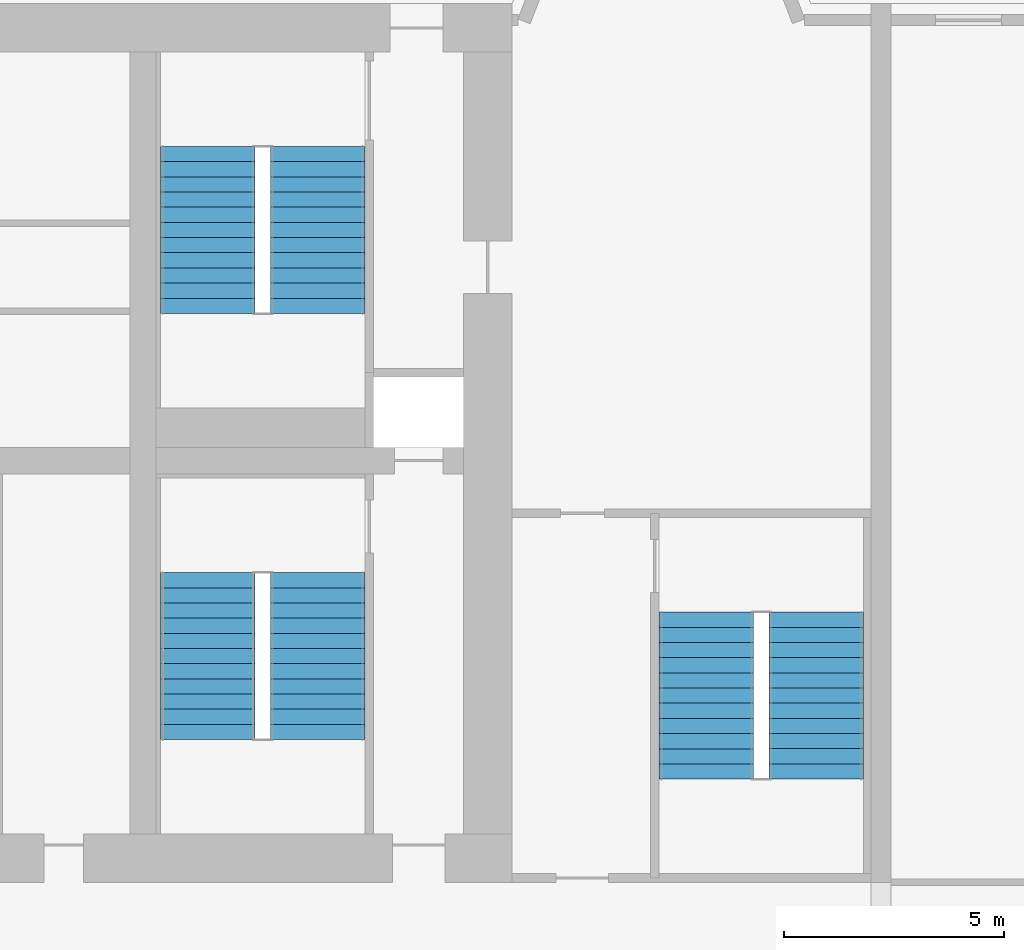
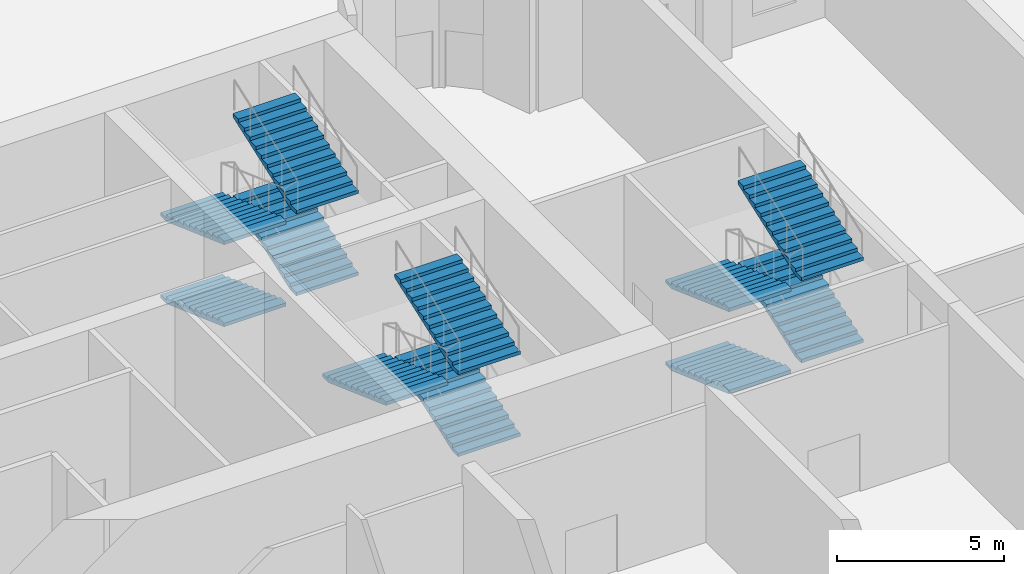
# One storey, part 16 of 20: 11 stair flights, 3 elements without a shape of their own.
"""IFC4 building model written with IfcOpenShell, lengths in metres."""

from ifc_helpers import new_model, si_unit, direction, frame, origin, place, context, subcontext, project, spatial, polyline, outline, extrude, source, transform, mapped, material, type_object, element, aggregate, save


model = new_model("IFC4")

# Units and contexts
model_context = context("Model", 3, precision=1e-05, world=origin(), true_north=direction((0.0, 1.0)))
body_context = subcontext(model_context, "Body", "Model", "MODEL_VIEW")
ifc_project = project(units=[si_unit("LENGTHUNIT", "METRE"), si_unit("AREAUNIT", "SQUARE_METRE"), si_unit("VOLUMEUNIT", "CUBIC_METRE"), si_unit("PLANEANGLEUNIT", "RADIAN"), si_unit("MASSUNIT", "GRAM", prefix="KILO")], contexts=[model_context])

# Site, building, storey
site_placement = place(None, origin())
site = spatial("IfcSite", under=ifc_project, at=site_placement, CompositionType="ELEMENT")
building_placement = place(site_placement, origin())
building = spatial("IfcBuilding", under=site, at=building_placement, Name="Vanashikhar Sky Hotel", CompositionType="ELEMENT")
storey_placement = place(building_placement, origin())
storey = spatial("IfcBuildingStorey", under=building, at=storey_placement, Name="L00", CompositionType="ELEMENT", Elevation=0.0)

# Stair, stair flights
ifc_material = material(Name="Concrete M40", Category="concrete")
stair_type = type_object("IfcStairType", Name="Exit stair 2150", PredefinedType="DOUBLE_RETURN_STAIR", material=ifc_material)
stair_1_placement = place(storey_placement, origin())
stair_1 = element("IfcStair", 1, at=stair_1_placement, inside=storey, type_object=stair_type, Name="L00 Exit stair 2", PredefinedType="DOUBLE_RETURN_STAIR")
stair_flight_type = type_object("IfcStairFlightType", Name="Stair flight 2150", PredefinedType="STRAIGHT", material=ifc_material)
shared_shape = source(origin(), body_context, "Body", "SweptSolid", [
    extrude(outline(polyline([(0.0, 0.0), (0.0, 0.125), (0.345458984375, 0.125), (0.345458984375, 0.25), (0.69091796875, 0.25), (0.69091796875, 0.375), (1.036376953125, 0.375), (1.036376953125, 0.5), (1.3818359375, 0.5), (1.3818359375, 0.625), (1.727294921875, 0.625), (1.727294921875, 0.75), (2.07275390625, 0.75), (2.07275390625, 0.875), (2.418212890625, 0.875), (2.418212890625, 1.0), (2.763671875, 1.0), (2.763671875, 1.125), (3.109130859375, 1.125), (3.109130859375, 1.25), (3.45458984375, 1.25), (3.45458984375, 1.375), (3.800048828125, 1.375), (3.800048828125, 1.5), (3.800048828125, 1.247314453125), (0.35302734375, 0.0), (0.0, 0.0)])), frame((0.0, 1.074951171875, 0.0), z_axis=(0.0, -1.0, 0.0), x_axis=(1.0, 0.0, 0.0)), (0.0, 0.0, 1.0), 2.14990234375),
])
stair_flight_1_placement = place(storey_placement, frame((71.175048828125, 25.25, 1.5), z_axis=(0.0, 0.0, 1.0), x_axis=(0.0, 1.0, 0.0)))
stair_flight_1 = element("IfcStairFlight", 2, at=stair_flight_1_placement, type_object=stair_flight_type, Name="ST-C2 flight 2", NumberOfRisers=12, NumberOfTreads=11, PredefinedType="STRAIGHT", RiserHeight=0.125, TreadLength=0.345454545, context=body_context, shape_type="MappedRepresentation", body=[
    mapped(shared_shape, transform((0.0, 0.0, 0.0), scale=1.0)),
])
stair_flight_2_placement = place(storey_placement, frame((68.675048828125, 29.050048828125, 3.0), z_axis=(0.0, 0.0, 1.0), x_axis=(0.0, -1.0, 0.0)))
stair_flight_2 = element("IfcStairFlight", 3, at=stair_flight_2_placement, type_object=stair_flight_type, Name="ST-C2 flight 3", NumberOfRisers=12, NumberOfTreads=11, PredefinedType="STRAIGHT", RiserHeight=0.125, TreadLength=0.345454545, context=body_context, shape_type="MappedRepresentation", body=[
    mapped(shared_shape, transform((0.0, 0.0, 0.0), scale=1.0)),
])
stair_flight_3_placement = place(storey_placement, frame((71.175048828125, 25.25, 4.5), z_axis=(0.0, 0.0, 1.0), x_axis=(0.0, 1.0, 0.0)))
stair_flight_3 = element("IfcStairFlight", 4, at=stair_flight_3_placement, type_object=stair_flight_type, Name="ST-C2 flight 4", NumberOfRisers=12, NumberOfTreads=11, PredefinedType="STRAIGHT", RiserHeight=0.125, TreadLength=0.345454545, context=body_context, shape_type="MappedRepresentation", body=[
    mapped(shared_shape, transform((0.0, 0.0, 0.0), scale=1.0)),
])
aggregate(stair_1, [stair_flight_1, stair_flight_2, stair_flight_3])

stair_2_placement = place(storey_placement, origin())
stair_2 = element("IfcStair", 5, at=stair_2_placement, inside=storey, type_object=stair_type, Name="L00 Exit stair 4", PredefinedType="DOUBLE_RETURN_STAIR")
stair_flight_4_placement = place(storey_placement, frame((80.02490234375, 28.14990234375, 0.0), z_axis=(0.0, 0.0, 1.0), x_axis=(0.0, -1.0, 0.0)))
stair_flight_4 = element("IfcStairFlight", 6, at=stair_flight_4_placement, type_object=stair_flight_type, Name="ST-E flight 1", NumberOfRisers=12, NumberOfTreads=11, PredefinedType="STRAIGHT", RiserHeight=0.125, TreadLength=0.345454545, context=body_context, shape_type="MappedRepresentation", body=[
    mapped(shared_shape, transform((0.0, 0.0, 0.0), scale=1.0)),
])
stair_flight_5_placement = place(storey_placement, frame((82.52490234375, 24.35009765625, 1.5), z_axis=(0.0, 0.0, 1.0), x_axis=(0.0, 1.0, 0.0)))
stair_flight_5 = element("IfcStairFlight", 7, at=stair_flight_5_placement, type_object=stair_flight_type, Name="ST-E flight 2", NumberOfRisers=12, NumberOfTreads=11, PredefinedType="STRAIGHT", RiserHeight=0.125, TreadLength=0.345454545, context=body_context, shape_type="MappedRepresentation", body=[
    mapped(shared_shape, transform((0.0, 0.0, 0.0), scale=1.0)),
])
stair_flight_6_placement = place(storey_placement, frame((80.02490234375, 28.14990234375, 3.0), z_axis=(0.0, 0.0, 1.0), x_axis=(0.0, -1.0, 0.0)))
stair_flight_6 = element("IfcStairFlight", 8, at=stair_flight_6_placement, type_object=stair_flight_type, Name="ST-E flight 3", NumberOfRisers=12, NumberOfTreads=11, PredefinedType="STRAIGHT", RiserHeight=0.125, TreadLength=0.345454545, context=body_context, shape_type="MappedRepresentation", body=[
    mapped(shared_shape, transform((0.0, 0.0, 0.0), scale=1.0)),
])
stair_flight_7_placement = place(storey_placement, frame((82.52490234375, 24.35009765625, 4.5), z_axis=(0.0, 0.0, 1.0), x_axis=(0.0, 1.0, 0.0)))
stair_flight_7 = element("IfcStairFlight", 9, at=stair_flight_7_placement, type_object=stair_flight_type, Name="ST-E flight 4", NumberOfRisers=12, NumberOfTreads=11, PredefinedType="STRAIGHT", RiserHeight=0.125, TreadLength=0.345454545, context=body_context, shape_type="MappedRepresentation", body=[
    mapped(shared_shape, transform((0.0, 0.0, 0.0), scale=1.0)),
])
aggregate(stair_2, [stair_flight_4, stair_flight_5, stair_flight_6, stair_flight_7])

stair_3_placement = place(storey_placement, origin())
stair_3 = element("IfcStair", 10, at=stair_3_placement, inside=storey, type_object=stair_type, Name="L00 Exit stair 6", PredefinedType="DOUBLE_RETURN_STAIR")
stair_flight_8_placement = place(storey_placement, frame((68.675048828125, 38.75, 0.0), z_axis=(0.0, 0.0, 1.0), x_axis=(0.0, -1.0, 0.0)))
stair_flight_8 = element("IfcStairFlight", 11, at=stair_flight_8_placement, type_object=stair_flight_type, Name="ST-C4 flight 1", NumberOfRisers=12, NumberOfTreads=11, PredefinedType="STRAIGHT", RiserHeight=0.125, TreadLength=0.345454545, context=body_context, shape_type="MappedRepresentation", body=[
    mapped(shared_shape, transform((0.0, 0.0, 0.0), scale=1.0)),
])
stair_flight_9_placement = place(storey_placement, frame((71.175048828125, 34.949951171875, 1.5), z_axis=(0.0, 0.0, 1.0), x_axis=(0.0, 1.0, 0.0)))
stair_flight_9 = element("IfcStairFlight", 12, at=stair_flight_9_placement, type_object=stair_flight_type, Name="ST-C4 flight 2", NumberOfRisers=12, NumberOfTreads=11, PredefinedType="STRAIGHT", RiserHeight=0.125, TreadLength=0.345454545, context=body_context, shape_type="MappedRepresentation", body=[
    mapped(shared_shape, transform((0.0, 0.0, 0.0), scale=1.0)),
])
stair_flight_10_placement = place(storey_placement, frame((68.675048828125, 38.75, 3.0), z_axis=(0.0, 0.0, 1.0), x_axis=(0.0, -1.0, 0.0)))
stair_flight_10 = element("IfcStairFlight", 13, at=stair_flight_10_placement, type_object=stair_flight_type, Name="ST-C4 flight 3", NumberOfRisers=12, NumberOfTreads=11, PredefinedType="STRAIGHT", RiserHeight=0.125, TreadLength=0.345454545, context=body_context, shape_type="MappedRepresentation", body=[
    mapped(shared_shape, transform((0.0, 0.0, 0.0), scale=1.0)),
])
stair_flight_11_placement = place(storey_placement, frame((71.175048828125, 34.949951171875, 4.5), z_axis=(0.0, 0.0, 1.0), x_axis=(0.0, 1.0, 0.0)))
stair_flight_11 = element("IfcStairFlight", 14, at=stair_flight_11_placement, type_object=stair_flight_type, Name="ST-C4 flight 4", NumberOfRisers=12, NumberOfTreads=11, PredefinedType="STRAIGHT", RiserHeight=0.125, TreadLength=0.345454545, context=body_context, shape_type="MappedRepresentation", body=[
    mapped(shared_shape, transform((0.0, 0.0, 0.0), scale=1.0)),
])
aggregate(stair_3, [stair_flight_8, stair_flight_9, stair_flight_10, stair_flight_11])

save(model, "model.ifc")
